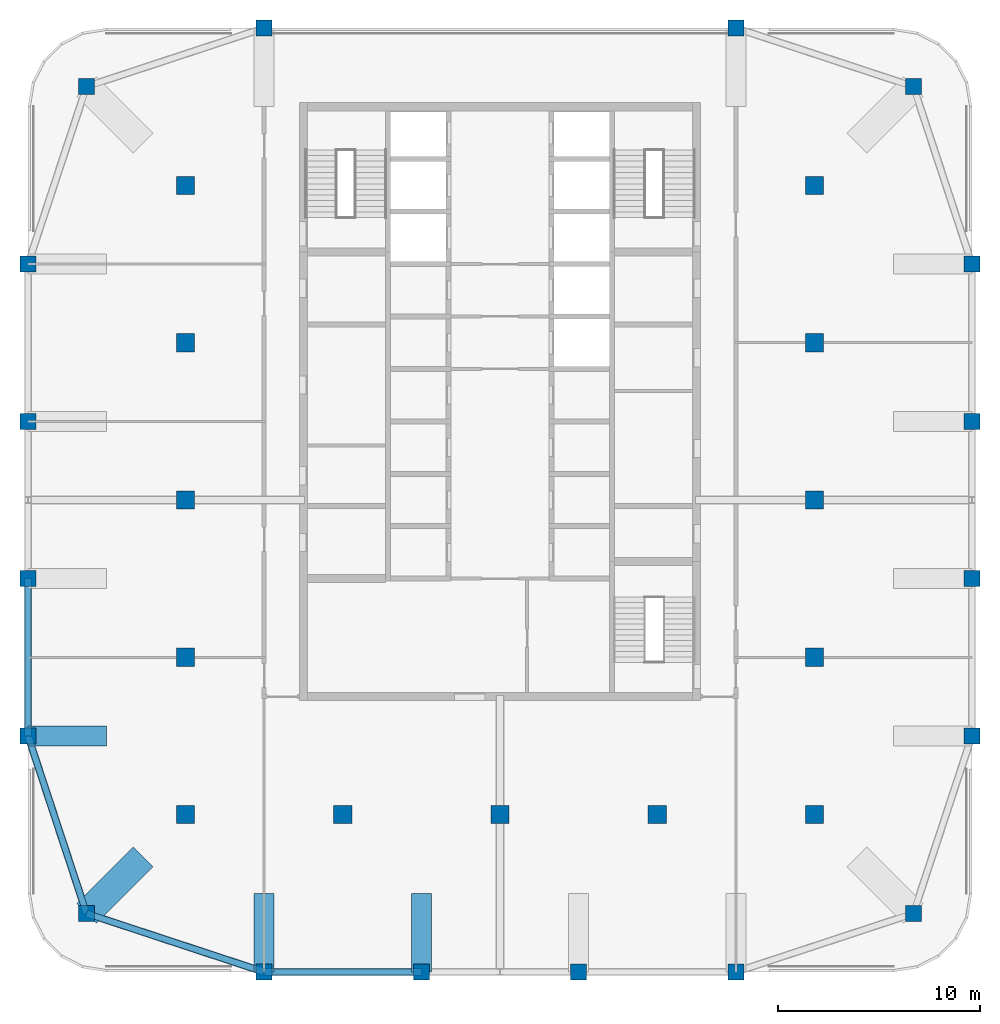
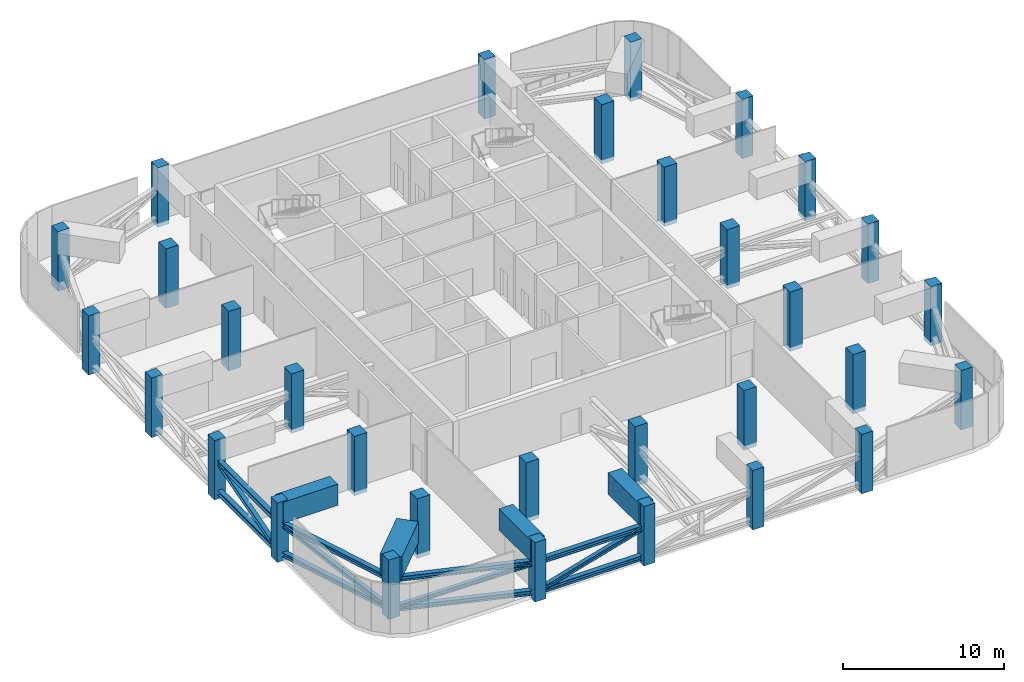
# One storey, part 1 of 13: 31 columns, 12 members, 4 beams.
"""IFC4 building model written with IfcOpenShell, lengths in metres."""

from ifc_helpers import new_model, si_unit, direction, frame, origin, origin_2d, place, context, subcontext, project, spatial, rectangle, i_section, extrude, material, material_profile, profile_set, type_object, element, save


model = new_model("IFC4")

# Units and contexts
model_context = context("Model", 3, precision=1e-05, world=origin(), true_north=direction((0.0, 1.0)))
body_context = subcontext(model_context, "Body", "Model", "MODEL_VIEW")
ifc_project = project(units=[si_unit("LENGTHUNIT", "METRE"), si_unit("AREAUNIT", "SQUARE_METRE"), si_unit("VOLUMEUNIT", "CUBIC_METRE"), si_unit("PLANEANGLEUNIT", "RADIAN"), si_unit("MASSUNIT", "GRAM", prefix="KILO")], contexts=[model_context])

# Site, building, storey
site_placement = place(None, origin())
site = spatial("IfcSite", under=ifc_project, at=site_placement, CompositionType="ELEMENT")
building_placement = place(site_placement, origin())
building = spatial("IfcBuilding", under=site, at=building_placement, Name="Ludao Terraces", CompositionType="ELEMENT")
storey_placement = place(building_placement, frame((0.0, 0.0, 241.5)))
storey = spatial("IfcBuildingStorey", under=building, at=storey_placement, Name="L66", CompositionType="ELEMENT", Elevation=241.5)

# Columns
ifc_material_1 = material(Name="Concrete C50", Category="concrete")
ifc_material_profile_1 = material_profile(ifc_material_1, rectangle(XDim=0.800048828125, YDim=0.800048828125, at=origin_2d()), Name="800 X 800")
ifc_profile_set_1 = profile_set([ifc_material_profile_1], Name="Concrete C50")
column_type_1 = type_object("IfcColumnType", Name="RC column 800x800 C50", PredefinedType="COLUMN", material=ifc_profile_set_1)
for number, where, z_axis, x_axis, name in (
    (1, (64.5, 44.5, -0.300048828125), (0.0, 0.0, 1.0), (1.0, 0.0, 0.0), "Column L66 C0029x0029"),
    (2, (105.5, 44.5, -0.300048828125), (0.0, 0.0, 1.0), (1.0, 0.0, 0.0), "Column L66 C0439x0029"),
    (3, (64.5, 85.5, -0.300048828125), (0.0, 0.0, 1.0), (1.0, 0.0, 0.0), "Column L66 C0029x0439"),
    (4, (105.5, 85.5, -0.300048828125), (0.0, 0.0, 1.0), (1.0, 0.0, 0.0), "Column L66 C0439x0439"),
    (5, (61.60009765625, 53.300048828125, -0.300048828125), (0.0, 0.0, 1.0), (1.0, 0.0, 0.0), "Column L66 F0000x0117"),
    (6, (108.39990234375, 53.300048828125, -0.300048828125), (0.0, 0.0, 1.0), (1.0, 0.0, 0.0), "Column L66 F0468x0117"),
    (7, (73.300048828125, 41.60009765625, -0.300048828125), (0.0, 0.0, 1.0), (1.0, 0.0, 0.0), "Column L66 F0117x0000"),
    (8, (73.300048828125, 88.39990234375, -0.300048828125), (0.0, 0.0, 1.0), (1.0, 0.0, 0.0), "Column L66 F0117x0468"),
    (9, (61.60009765625, 61.10009765625, -0.300048828125), (0.0, 0.0, 1.0), (1.0, 0.0, 0.0), "Column L66 F0000x0195"),
    (10, (108.39990234375, 61.10009765625, -0.300048828125), (0.0, 0.0, 1.0), (1.0, 0.0, 0.0), "Column L66 F0468x0195"),
    (11, (81.10009765625, 41.60009765625, -0.300048828125), (0.0, 0.0, 1.0), (1.0, 0.0, 0.0), "Column L66 F0195x0000"),
    (12, (61.60009765625, 68.89990234375, -0.300048828125), (0.0, 0.0, 1.0), (1.0, 0.0, 0.0), "Column L66 F0000x0273"),
    (13, (108.39990234375, 68.89990234375, -0.300048828125), (0.0, 0.0, 1.0), (1.0, 0.0, 0.0), "Column L66 F0468x0273"),
    (14, (88.89990234375, 41.60009765625, -0.300048828125), (0.0, 0.0, 1.0), (1.0, 0.0, 0.0), "Column L66 F0273x0000"),
    (15, (61.60009765625, 76.699951171875, -0.300048828125), (0.0, 0.0, 1.0), (1.0, 0.0, 0.0), "Column L66 F0000x0351"),
    (16, (108.39990234375, 76.699951171875, -0.300048828125), (0.0, 0.0, 1.0), (1.0, 0.0, 0.0), "Column L66 F0468x0351"),
    (17, (96.699951171875, 41.60009765625, -0.300048828125), (0.0, 0.0, 1.0), (1.0, 0.0, 0.0), "Column L66 F0351x0000"),
    (18, (96.699951171875, 88.39990234375, -0.300048828125), (0.0, 0.0, 1.0), (1.0, 0.0, 0.0), "Column L66 F0351x0468"),
):
    element("IfcColumn", number, at=place(storey_placement, frame(where, z_axis=z_axis, x_axis=x_axis)), inside=storey, type_object=column_type_1, Name=name, PredefinedType="COLUMN", context=body_context, shape_type="SweptSolid", body=[
        extrude(rectangle(XDim=0.800048828125, YDim=0.800048828125, at=origin_2d()), origin(), (0.0, 0.0, 1.0), 4.5),
    ])
ifc_material_profile_2 = material_profile(ifc_material_1, rectangle(XDim=0.89990234375, YDim=0.89990234375, at=origin_2d()), Name="900 X 900")
ifc_profile_set_2 = profile_set([ifc_material_profile_2], Name="Concrete C50")
column_type_2 = type_object("IfcColumnType", Name="RC column 900x900 C50", PredefinedType="COLUMN", material=ifc_profile_set_2)
for number, where, z_axis, x_axis, name in (
    (19, (69.39990234375, 49.39990234375, -0.300048828125), (0.0, 0.0, 1.0), (1.0, 0.0, 0.0), "Column L66 S0078x0078"),
    (20, (69.39990234375, 57.199951171875, -0.300048828125), (0.0, 0.0, 1.0), (1.0, 0.0, 0.0), "Column L66 S0078x0156"),
    (21, (69.39990234375, 65.0, -0.300048828125), (0.0, 0.0, 1.0), (1.0, 0.0, 0.0), "Column L66 S0078x0234"),
    (22, (69.39990234375, 72.800048828125, -0.300048828125), (0.0, 0.0, 1.0), (1.0, 0.0, 0.0), "Column L66 S0078x0312"),
    (23, (69.39990234375, 80.60009765625, -0.300048828125), (0.0, 0.0, 1.0), (1.0, 0.0, 0.0), "Column L66 S0078x0390"),
    (24, (77.199951171875, 49.39990234375, -0.300048828125), (0.0, 0.0, 1.0), (1.0, 0.0, 0.0), "Column L66 S0156x0078"),
    (25, (85.0, 49.39990234375, -0.300048828125), (0.0, 0.0, 1.0), (1.0, 0.0, 0.0), "Column L66 S0234x0078"),
    (26, (92.800048828125, 49.39990234375, -0.300048828125), (0.0, 0.0, 1.0), (1.0, 0.0, 0.0), "Column L66 S0312x0078"),
    (27, (100.60009765625, 49.39990234375, -0.300048828125), (0.0, 0.0, 1.0), (1.0, 0.0, 0.0), "Column L66 S0390x0078"),
    (28, (100.60009765625, 57.199951171875, -0.300048828125), (0.0, 0.0, 1.0), (1.0, 0.0, 0.0), "Column L66 S0390x0156"),
    (29, (100.60009765625, 65.0, -0.300048828125), (0.0, 0.0, 1.0), (1.0, 0.0, 0.0), "Column L66 S0390x0234"),
    (30, (100.60009765625, 72.800048828125, -0.300048828125), (0.0, 0.0, 1.0), (1.0, 0.0, 0.0), "Column L66 S0390x0312"),
    (31, (100.60009765625, 80.60009765625, -0.300048828125), (0.0, 0.0, 1.0), (1.0, 0.0, 0.0), "Column L66 S0390x0390"),
):
    element("IfcColumn", number, at=place(storey_placement, frame(where, z_axis=z_axis, x_axis=x_axis)), inside=storey, type_object=column_type_2, Name=name, PredefinedType="COLUMN", context=body_context, shape_type="SweptSolid", body=[
        extrude(rectangle(XDim=0.89990234375, YDim=0.89990234375, at=origin_2d()), origin(), (0.0, 0.0, 1.0), 4.5),
    ])

# Members
ifc_material_2 = material(Name="Steel Q355", Category="steel")
ifc_material_profile_3 = material_profile(ifc_material_2, i_section(OverallWidth=0.35009765625, OverallDepth=0.35009765625, WebThickness=0.011962890625, FlangeThickness=0.01904296875, at=origin_2d()), Name="HW 350X350X12X19")
ifc_profile_set_3 = profile_set([ifc_material_profile_3], Name="Steel Q355")
member_type_1 = type_object("IfcMemberType", Name="Belt truss chord HW 350x350x12x19 Q355", PredefinedType="CHORD", material=ifc_profile_set_3)
for number, where, z_axis, x_axis, name in (
    (32, (64.5, 44.5, 2.425048828125), (0.949760691408, -0.312977042379, 0.0), (0.312977042379, 0.949760691408, 0.0), "Truss chord L66 BT1T1"),
    (33, (64.5, 44.5, 0.175048828125), (0.949760691408, -0.312977042379, 0.0), (0.312977042379, 0.949760691408, 0.0), "Truss chord L66 BT1B1"),
):
    element("IfcMember", number, at=place(storey_placement, frame(where, z_axis=z_axis, x_axis=x_axis)), inside=storey, type_object=member_type_1, Name=name, PredefinedType="CHORD", context=body_context, shape_type="SweptSolid", body=[
        extrude(i_section(OverallWidth=0.35009765625, OverallDepth=0.35009765625, WebThickness=0.011962890625, FlangeThickness=0.01904296875, at=origin_2d()), origin(), (0.0, 0.0, 1.0), 9.265625),
    ])
for number, where, z_axis, x_axis, name in (
    (34, (73.300048828125, 41.60009765625, 2.425048828125), (1.0, 0.0, 0.0), (0.0, 1.0, 0.0), "Truss chord L66 BT2T1"),
    (35, (73.300048828125, 41.60009765625, 0.175048828125), (1.0, 0.0, 0.0), (0.0, 1.0, 0.0), "Truss chord L66 BT2B1"),
):
    element("IfcMember", number, at=place(storey_placement, frame(where, z_axis=z_axis, x_axis=x_axis)), inside=storey, type_object=member_type_1, Name=name, PredefinedType="CHORD", context=body_context, shape_type="SweptSolid", body=[
        extrude(i_section(OverallWidth=0.35009765625, OverallDepth=0.35009765625, WebThickness=0.011962890625, FlangeThickness=0.01904296875, at=origin_2d()), origin(), (0.0, 0.0, 1.0), 7.800048828125),
    ])
for number, where, z_axis, x_axis, name in (
    (36, (64.5, 44.5, 2.425048828125), (-0.312977042379, 0.949760691408, 0.0), (-0.949760691408, -0.312977042379, 0.0), "Truss chord L66 BT8T1"),
    (37, (64.5, 44.5, 0.175048828125), (-0.312977042379, 0.949760691408, 0.0), (-0.949760691408, -0.312977042379, 0.0), "Truss chord L66 BT8B1"),
):
    element("IfcMember", number, at=place(storey_placement, frame(where, z_axis=z_axis, x_axis=x_axis)), inside=storey, type_object=member_type_1, Name=name, PredefinedType="CHORD", context=body_context, shape_type="SweptSolid", body=[
        extrude(i_section(OverallWidth=0.35009765625, OverallDepth=0.35009765625, WebThickness=0.011962890625, FlangeThickness=0.01904296875, at=origin_2d()), origin(), (0.0, 0.0, 1.0), 9.265625),
    ])
for number, where, z_axis, x_axis, name in (
    (38, (61.60009765625, 53.300048828125, 2.425048828125), (0.0, 1.0, 0.0), (-1.0, 0.0, 0.0), "Truss chord L66 BT9T1"),
    (39, (61.60009765625, 53.300048828125, 0.175048828125), (0.0, 1.0, 0.0), (-1.0, 0.0, 0.0), "Truss chord L66 BT9B1"),
):
    element("IfcMember", number, at=place(storey_placement, frame(where, z_axis=z_axis, x_axis=x_axis)), inside=storey, type_object=member_type_1, Name=name, PredefinedType="CHORD", context=body_context, shape_type="SweptSolid", body=[
        extrude(i_section(OverallWidth=0.35009765625, OverallDepth=0.35009765625, WebThickness=0.011962890625, FlangeThickness=0.01904296875, at=origin_2d()), origin(), (0.0, 0.0, 1.0), 7.800048828125),
    ])
ifc_material_profile_4 = material_profile(ifc_material_2, i_section(OverallWidth=0.300048828125, OverallDepth=0.300048828125, WebThickness=0.010009765625, FlangeThickness=0.014892578125, at=origin_2d()), Name="HW 300X300X10X15")
ifc_profile_set_4 = profile_set([ifc_material_profile_4], Name="Steel Q355")
member_type_2 = type_object("IfcMemberType", Name="Belt truss diagonal HW 300x300x10x15 Q355", PredefinedType="BRACE", material=ifc_profile_set_4)
member_1_placement = place(storey_placement, frame((64.5, 44.5, 0.175048828125), z_axis=(0.922938115412, -0.304138131082, 0.235977186063), x_axis=(0.312977042379, 0.949760691408, 0.0)))
element("IfcMember", 40, at=member_1_placement, inside=storey, type_object=member_type_2, Name="Truss diagonal L66 BT11", PredefinedType="BRACE", context=body_context, shape_type="SweptSolid", body=[
    extrude(i_section(OverallWidth=0.300048828125, OverallDepth=0.300048828125, WebThickness=0.010009765625, FlangeThickness=0.014892578125, at=origin_2d()), origin(), (0.0, 0.0, 1.0), 9.534912109375),
])
member_2_placement = place(storey_placement, frame((73.300048828125, 41.60009765625, 0.175048828125), z_axis=(0.96082405322, 0.0, 0.277159049563), x_axis=(0.0, 1.0, 0.0)))
element("IfcMember", 41, at=member_2_placement, inside=storey, type_object=member_type_2, Name="Truss diagonal L66 BT21", PredefinedType="BRACE", context=body_context, shape_type="SweptSolid", body=[
    extrude(i_section(OverallWidth=0.300048828125, OverallDepth=0.300048828125, WebThickness=0.010009765625, FlangeThickness=0.014892578125, at=origin_2d()), origin(), (0.0, 0.0, 1.0), 8.1181640625),
])
member_3_placement = place(storey_placement, frame((64.5, 44.5, 0.175048828125), z_axis=(-0.304138131082, 0.922938115412, 0.235977186063), x_axis=(-0.949760691408, -0.312977042379, 0.0)))
element("IfcMember", 42, at=member_3_placement, inside=storey, type_object=member_type_2, Name="Truss diagonal L66 BT81", PredefinedType="BRACE", context=body_context, shape_type="SweptSolid", body=[
    extrude(i_section(OverallWidth=0.300048828125, OverallDepth=0.300048828125, WebThickness=0.010009765625, FlangeThickness=0.014892578125, at=origin_2d()), origin(), (0.0, 0.0, 1.0), 9.534912109375),
])
member_4_placement = place(storey_placement, frame((61.60009765625, 53.300048828125, 0.175048828125), z_axis=(0.0, 0.96082405322, 0.277159049563), x_axis=(-1.0, 0.0, 0.0)))
element("IfcMember", 43, at=member_4_placement, inside=storey, type_object=member_type_2, Name="Truss diagonal L66 BT91", PredefinedType="BRACE", context=body_context, shape_type="SweptSolid", body=[
    extrude(i_section(OverallWidth=0.300048828125, OverallDepth=0.300048828125, WebThickness=0.010009765625, FlangeThickness=0.014892578125, at=origin_2d()), origin(), (0.0, 0.0, 1.0), 8.1181640625),
])

# Beams
ifc_material_3 = material(Name="Concrete C60", Category="concrete")
ifc_material_profile_5 = material_profile(ifc_material_3, rectangle(XDim=1.0, YDim=1.60009765625, at=origin_2d()), Name="1000 X 1600")
ifc_profile_set_5 = profile_set([ifc_material_profile_5], Name="Concrete C60")
beam_type_1 = type_object("IfcBeamType", Name="RC beam 1000x1600 C60", PredefinedType="BEAM", material=ifc_profile_set_5)
for number, where, z_axis, x_axis, name in (
    (44, (61.60009765625, 53.300048828125, 3.39990234375), (1.0, 0.0, 0.0), (0.0, 1.0, 0.0), "Transfer girder L66 corbel 1"),
    (45, (73.300048828125, 41.60009765625, 3.39990234375), (0.0, 1.0, 0.0), (-1.0, 0.0, 0.0), "Transfer girder L66 corbel 5"),
    (46, (81.10009765625, 41.60009765625, 3.39990234375), (0.0, 1.0, 0.0), (-1.0, 0.0, 0.0), "Transfer girder L66 corbel 7"),
):
    element("IfcBeam", number, at=place(storey_placement, frame(where, z_axis=z_axis, x_axis=x_axis)), inside=storey, type_object=beam_type_1, Name=name, PredefinedType="BEAM", context=body_context, shape_type="SweptSolid", body=[
        extrude(rectangle(XDim=1.0, YDim=1.60009765625, at=origin_2d()), origin(), (0.0, 0.0, 1.0), 3.89990234375),
    ])
ifc_material_profile_6 = material_profile(ifc_material_3, rectangle(XDim=1.39990234375, YDim=1.60009765625, at=origin_2d()), Name="1400 X 1600")
ifc_profile_set_6 = profile_set([ifc_material_profile_6], Name="Concrete C60")
beam_type_2 = type_object("IfcBeamType", Name="RC beam 1400x1600 C60", PredefinedType="BEAM", material=ifc_profile_set_6)
beam_placement = place(storey_placement, frame((64.5, 44.5, 3.39990234375), z_axis=(0.707106781187, 0.707106781187, 0.0), x_axis=(-0.707106781187, 0.707106781187, 0.0)))
element("IfcBeam", 47, at=beam_placement, inside=storey, type_object=beam_type_2, Name="Transfer girder L66 corner SW", PredefinedType="BEAM", context=body_context, shape_type="SweptSolid", body=[
    extrude(rectangle(XDim=1.39990234375, YDim=1.60009765625, at=origin_2d()), origin(), (0.0, 0.0, 1.0), 3.9599609375),
])

save(model, "model.ifc")
